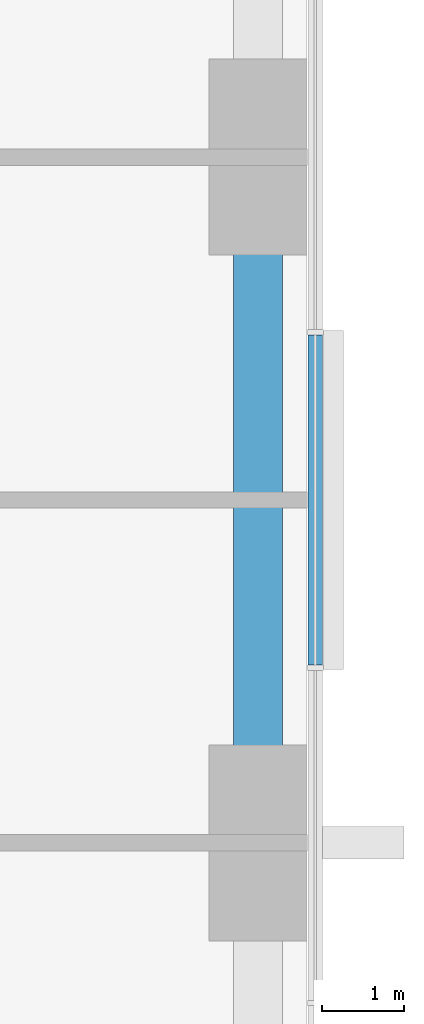
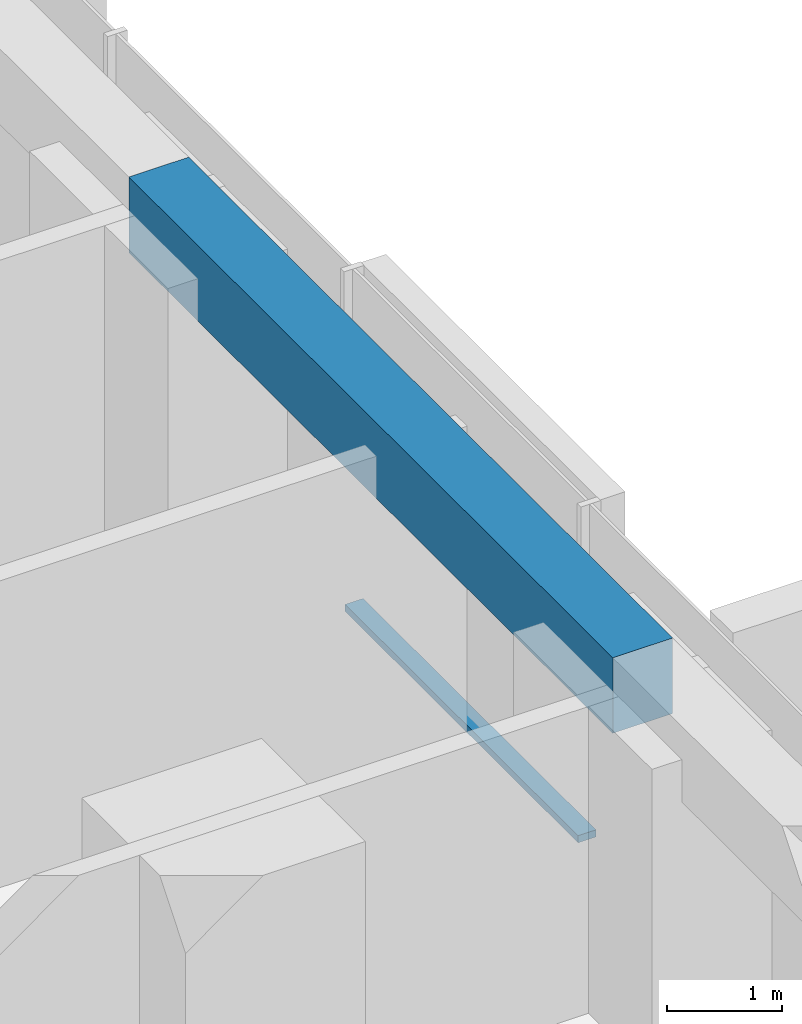
# One storey, part 5 of 18: 1 beam, 1 member, 1 element without a shape of its own.
"""IFC4 building model written with IfcOpenShell, lengths in metres."""

from ifc_helpers import new_model, si_unit, direction, frame, origin, origin_2d, place, context, subcontext, project, spatial, rectangle, extrude, material, material_profile, profile_set, type_object, element, aggregate, save


model = new_model("IFC4")

# Units and contexts
model_context = context("Model", 3, precision=1e-05, world=origin(), true_north=direction((0.0, 1.0)))
body_context = subcontext(model_context, "Body", "Model", "MODEL_VIEW")
ifc_project = project(units=[si_unit("LENGTHUNIT", "METRE"), si_unit("AREAUNIT", "SQUARE_METRE"), si_unit("VOLUMEUNIT", "CUBIC_METRE"), si_unit("PLANEANGLEUNIT", "RADIAN"), si_unit("MASSUNIT", "GRAM", prefix="KILO")], contexts=[model_context])

# Site, building, storey
site_placement = place(None, origin())
site = spatial("IfcSite", under=ifc_project, at=site_placement, CompositionType="ELEMENT")
building_placement = place(site_placement, origin())
building = spatial("IfcBuilding", under=site, at=building_placement, Name="Dunama Terrace Hotel", CompositionType="ELEMENT")
storey_placement = place(building_placement, frame((0.0, 0.0, 30.60009765625)))
storey = spatial("IfcBuildingStorey", under=building, at=storey_placement, Name="L06", CompositionType="ELEMENT", Elevation=30.60009765625)

# Curtain wall, member
ifc_material_1 = material(Name="Aluminium curtain wall system", Category="aluminium")
curtain_wall_type = type_object("IfcCurtainWallType", Name="Unitised fritted glass wall CW-A", PredefinedType="NOTDEFINED", material=ifc_material_1)
curtain_wall_placement = place(storey_placement, origin())
curtain_wall = element("IfcCurtainWall", 1, at=curtain_wall_placement, inside=storey, type_object=curtain_wall_type, Name="Unitised fritted glass wall CW-A L06", PredefinedType="NOTDEFINED")
ifc_material_2 = material(Name="Aluminium transom", Category="aluminium")
ifc_material_profile_1 = material_profile(ifc_material_2, rectangle(XDim=0.179931640625, YDim=0.074951171875, at=origin_2d()), Name="CWA TRANSOM 180X75")
ifc_profile_set_1 = profile_set([ifc_material_profile_1], Name="Aluminium transom")
member_type = type_object("IfcMemberType", Name="CWA transom 180x75", PredefinedType="USERDEFINED", material=ifc_profile_set_1)
member_placement = place(storey_placement, frame((58.89990234375, 27.37890625, 0.037353515625), z_axis=(0.0, 1.0, 0.0), x_axis=(-1.0, 0.0, 0.0)))
member = element("IfcMember", 2, at=member_placement, type_object=member_type, Name="CWA transom", ObjectType="TRANSOM", PredefinedType="USERDEFINED", context=body_context, shape_type="SweptSolid", body=[
    extrude(rectangle(XDim=0.179931640625, YDim=0.074951171875, at=origin_2d()), origin(), (0.0, 0.0, 1.0), 4.0419921875),
])
aggregate(curtain_wall, [member])

# Beam
ifc_material_3 = material(Name="Concrete C40/50", Category="concrete")
ifc_material_profile_2 = material_profile(ifc_material_3, rectangle(XDim=0.60009765625, YDim=0.800048828125, at=origin_2d()), Name="RC 600x800")
ifc_profile_set_2 = profile_set([ifc_material_profile_2], Name="Concrete C40/50")
beam_type = type_object("IfcBeamType", Name="Edge beam RC 600x800", PredefinedType="SPANDREL", material=ifc_profile_set_2)
beam_placement = place(storey_placement, frame((58.199951171875, 25.199951171875, 3.199951171875), z_axis=(0.0, 1.0, 0.0), x_axis=(-1.0, 0.0, 0.0)))
element("IfcBeam", 3, at=beam_placement, inside=storey, type_object=beam_type, Name="Edge beam under L07", PredefinedType="SPANDREL", context=body_context, shape_type="SweptSolid", body=[
    extrude(rectangle(XDim=0.60009765625, YDim=0.800048828125, at=origin_2d()), origin(), (0.0, 0.0, 1.0), 8.400146484375),
])

save(model, "model.ifc")
